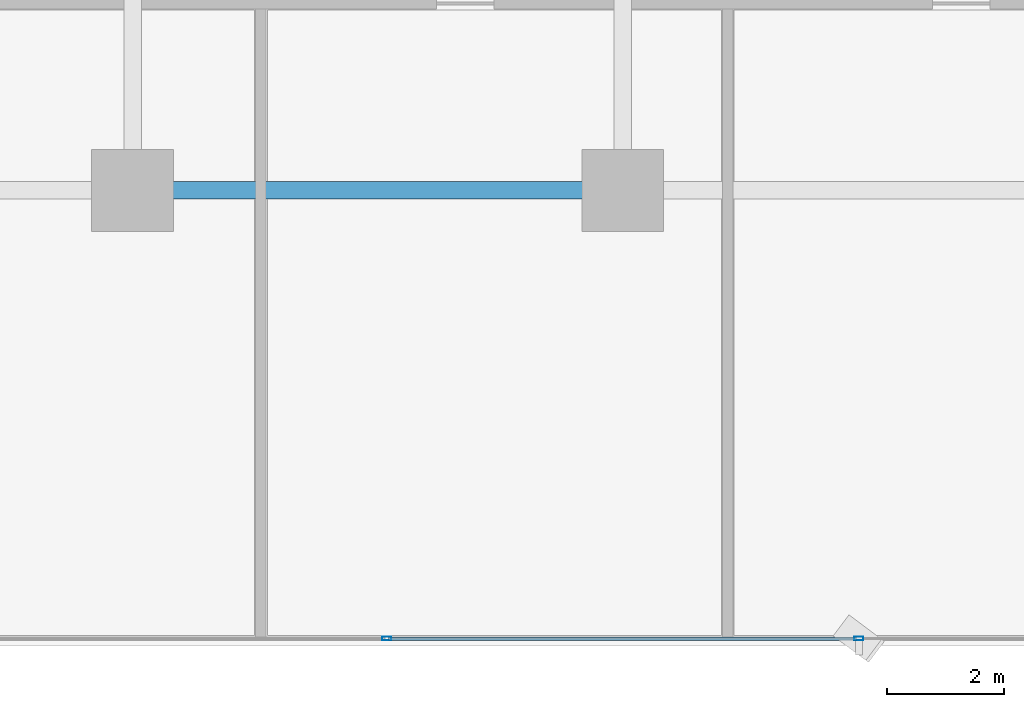
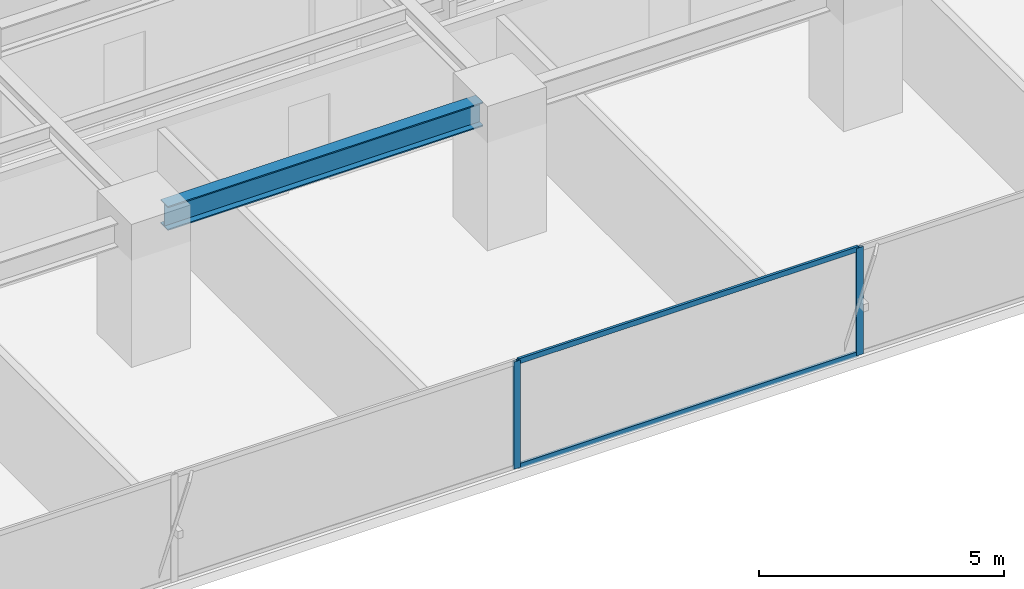
# One storey, part 6 of 36: 4 members, 1 beam, 1 element without a shape of its own.
"""IFC4 building model written with IfcOpenShell, lengths in metres."""

from ifc_helpers import new_model, si_unit, direction, frame, origin, origin_2d, place, context, subcontext, project, spatial, hollow_rectangle, i_section, extrude, source, transform, mapped, material, layer, layer_set, material_profile, profile_set, type_object, element, aggregate, save


model = new_model("IFC4")

# Units and contexts
model_context = context("Model", 3, precision=1e-05, world=origin(), true_north=direction((0.0, 1.0)))
body_context = subcontext(model_context, "Body", "Model", "MODEL_VIEW")
ifc_project = project(units=[si_unit("LENGTHUNIT", "METRE"), si_unit("AREAUNIT", "SQUARE_METRE"), si_unit("VOLUMEUNIT", "CUBIC_METRE"), si_unit("PLANEANGLEUNIT", "RADIAN"), si_unit("MASSUNIT", "GRAM", prefix="KILO")], contexts=[model_context])

# Site, building, storey
site_placement = place(None, origin())
site = spatial("IfcSite", under=ifc_project, at=site_placement, CompositionType="ELEMENT")
building_placement = place(site_placement, origin())
building = spatial("IfcBuilding", under=site, at=building_placement, Name="Sumidabori Civic Tower", CompositionType="ELEMENT")
storey_placement = place(building_placement, frame((0.0, 0.0, 120.800048828125)))
storey = spatial("IfcBuildingStorey", under=building, at=storey_placement, Name="L31", CompositionType="ELEMENT", Elevation=120.800048828125)

# Beam
ifc_material_1 = material(Name="Steel SN490", Category="steel")
ifc_material_profile_1 = material_profile(ifc_material_1, i_section(OverallWidth=0.300048828125, OverallDepth=0.60009765625, WebThickness=0.015380859375, FlangeThickness=0.030029296875, at=origin_2d()), Name="HE 600 B")
ifc_profile_set_1 = profile_set([ifc_material_profile_1], Name="Steel SN490")
beam_type = type_object("IfcBeamType", Name="BM-GIRD-600", PredefinedType="BEAM", material=ifc_profile_set_1)
shared_shape_1 = source(origin(), body_context, "Body", "SweptSolid", [
    extrude(i_section(OverallWidth=0.300048828125, OverallDepth=0.60009765625, WebThickness=0.015380859375, FlangeThickness=0.030029296875, at=origin_2d()), origin(), (0.0, 0.0, 1.0), 7.43994140625),
])
beam_placement = place(storey_placement, frame((-7.919921875, -18.0, 3.0), z_axis=(1.0, 0.0, 0.0), x_axis=(0.0, 1.0, 0.0)))
element("IfcBeam", 1, at=beam_placement, inside=storey, type_object=beam_type, Name="Primary Girder L31 GX-03", PredefinedType="BEAM", context=body_context, shape_type="MappedRepresentation", body=[
    mapped(shared_shape_1, transform((0.0, 0.0, 0.0), x_axis=(1.0, 0.0, 0.0), y_axis=(0.0, 1.0, 0.0), z_axis=(0.0, 0.0, 1.0), scale=1.0)),
])

# Curtain wall, members
ifc_material_2 = material(Name="Anodised Bronze Aluminium AW-6063-T6", Category="aluminium")
ifc_layer = layer(ifc_material_2, 0.179931640625, Name="Anodised Bronze Aluminium AW-6063-T6")
ifc_layer_set = layer_set([ifc_layer], Name="Anodised Bronze Aluminium AW-6063-T6")
curtain_wall_type = type_object("IfcCurtainWallType", Name="CW-SYS-3", PredefinedType="NOTDEFINED", material=ifc_layer_set)
curtain_wall_placement = place(storey_placement, origin())
curtain_wall = element("IfcCurtainWall", 2, at=curtain_wall_placement, inside=storey, type_object=curtain_wall_type, Name="Curtain Wall CW:L31:R01", PredefinedType="NOTDEFINED")
ifc_material_profile_2 = material_profile(ifc_material_2, hollow_rectangle(XDim=0.06005859375, YDim=0.1298828125, WallThickness=0.0048828125, at=origin_2d()), Name="ALU TRANSOM 130x60")
ifc_profile_set_2 = profile_set([ifc_material_profile_2], Name="Anodised Bronze Aluminium AW-6063-T6")
member_type_1 = type_object("IfcMemberType", Name="CW-TRN-130", PredefinedType="USERDEFINED", material=ifc_profile_set_2)
shared_shape_2 = source(origin(), body_context, "Body", "SweptSolid", [
    extrude(hollow_rectangle(XDim=0.06005859375, YDim=0.1298828125, WallThickness=0.0048828125, at=origin_2d()), origin(), (0.0, 0.0, 1.0), 8.02294921875),
])
member_1_placement = place(storey_placement, frame((-4.011474609375, -25.679931640625, 0.030029296875), z_axis=(1.0, 0.0, 0.0), x_axis=(0.0, 1.0, 0.0)))
member_1 = element("IfcMember", 3, at=member_1_placement, type_object=member_type_1, Name="CW-3 transom 3.1", ObjectType="TRANSOM", PredefinedType="USERDEFINED", context=body_context, shape_type="MappedRepresentation", body=[
    mapped(shared_shape_2, transform((0.0, 0.0, 0.0), x_axis=(1.0, 0.0, 0.0), y_axis=(0.0, 1.0, 0.0), z_axis=(0.0, 0.0, 1.0), scale=1.0)),
])
member_2_placement = place(storey_placement, frame((-4.011474609375, -25.679931640625, 2.64990234375), z_axis=(1.0, 0.0, 0.0), x_axis=(0.0, 1.0, 0.0)))
member_2 = element("IfcMember", 4, at=member_2_placement, type_object=member_type_1, Name="CW-3 transom 3.2", ObjectType="TRANSOM", PredefinedType="USERDEFINED", context=body_context, shape_type="MappedRepresentation", body=[
    mapped(shared_shape_2, transform((0.0, 0.0, 0.0), x_axis=(1.0, 0.0, 0.0), y_axis=(0.0, 1.0, 0.0), z_axis=(0.0, 0.0, 1.0), scale=1.0)),
])
ifc_material_profile_3 = material_profile(ifc_material_2, hollow_rectangle(XDim=0.06494140625, YDim=0.159912109375, WallThickness=0.0048828125, at=origin_2d()), Name="ALU MULLION 160x65")
ifc_profile_set_3 = profile_set([ifc_material_profile_3], Name="Anodised Bronze Aluminium AW-6063-T6")
member_type_2 = type_object("IfcMemberType", Name="CW-MUL-160", PredefinedType="MULLION", material=ifc_profile_set_3)
shared_shape_3 = source(origin(), body_context, "Body", "SweptSolid", [
    extrude(hollow_rectangle(XDim=0.06494140625, YDim=0.159912109375, WallThickness=0.0048828125, at=origin_2d()), origin(), (0.0, 0.0, 1.0), 2.679931640625),
])
member_3_placement = place(storey_placement, frame((-4.0439453125, -25.679931640625, 0.0), z_axis=(0.0, 0.0, 1.0), x_axis=(0.0, 1.0, 0.0)))
member_3 = element("IfcMember", 5, at=member_3_placement, type_object=member_type_2, Name="CW-3 mullion 3", PredefinedType="MULLION", context=body_context, shape_type="MappedRepresentation", body=[
    mapped(shared_shape_3, transform((0.0, 0.0, 0.0), x_axis=(1.0, 0.0, 0.0), y_axis=(0.0, 1.0, 0.0), z_axis=(0.0, 0.0, 1.0), scale=1.0)),
])
member_4_placement = place(storey_placement, frame((4.0439453125, -25.679931640625, 0.0), z_axis=(0.0, 0.0, 1.0), x_axis=(0.0, 1.0, 0.0)))
member_4 = element("IfcMember", 6, at=member_4_placement, type_object=member_type_2, Name="CW-3 mullion 4", PredefinedType="MULLION", context=body_context, shape_type="MappedRepresentation", body=[
    mapped(shared_shape_3, transform((0.0, 0.0, 0.0), x_axis=(1.0, 0.0, 0.0), y_axis=(0.0, 1.0, 0.0), z_axis=(0.0, 0.0, 1.0), scale=1.0)),
])
aggregate(curtain_wall, [member_3, member_4, member_1, member_2])

save(model, "model.ifc")
